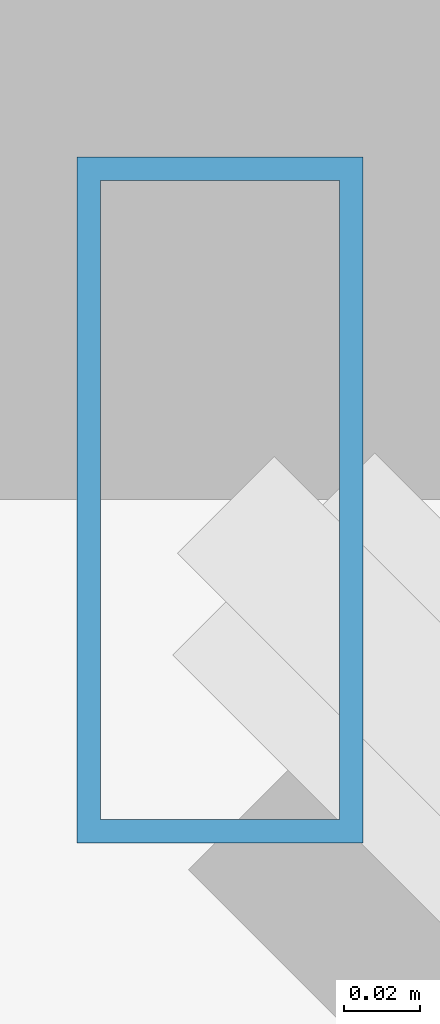
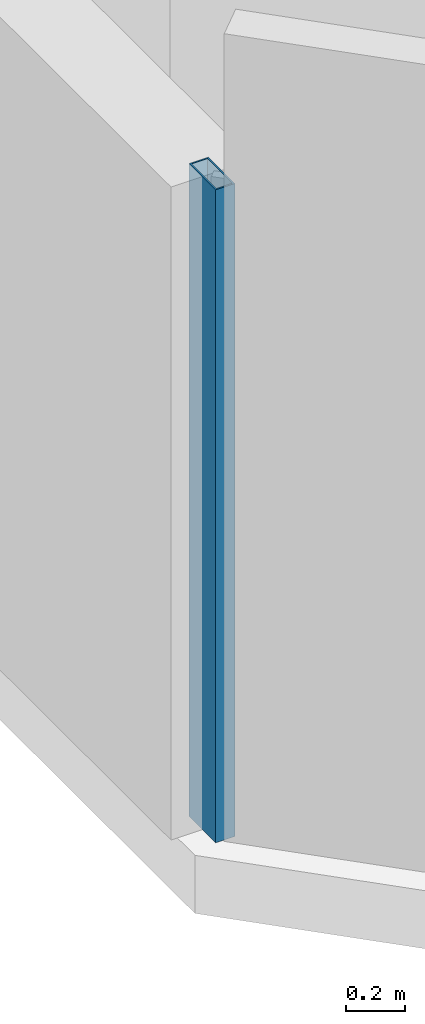
# One storey, part 8 of 35: 1 member, 1 element without a shape of its own.
"""IFC4 building model written with IfcOpenShell, lengths in metres."""

import ifcopenshell
import ifcopenshell.guid

model = None  # the IFC model being written
_history = None  # IfcOwnerHistory: only IFC2X3 demands one
_inside = {}  # id of a spatial element -> (the spatial element, [elements in it])
_under = {}  # id of a project, library or spatial element -> (it, [spatial elements below it])
_declared = {}  # id of a project -> (the project, [libraries it declares])
_typed = {}  # id of a type object -> (the type object, [elements of that type])
_made_of = {}  # id of a material, layer set ... -> (it, [elements and type objects made of it])


def new_model(schema):
    """Start an empty IFC model of exactly this schema.

    Asked for "IFC4X3", IfcOpenShell would pick the latest addendum, in which some entities
    have other attributes; the version numbers below select the first issue.
    IFC2X3 requires an IfcOwnerHistory on every rooted entity: one is made here for all.
    """
    global model, _history
    if schema == "IFC4X3":
        model = ifcopenshell.file(schema_version=(4, 3, 0, 0))
    else:
        model = ifcopenshell.file(schema=schema)
    _inside.clear()
    _under.clear()
    _declared.clear()
    _typed.clear()
    _made_of.clear()
    _history = None
    if model.schema == "IFC2X3":
        org = make("IfcOrganization", Name="unknown")
        user = make(
            "IfcPersonAndOrganization",
            ThePerson=make("IfcPerson", FamilyName="unknown"),
            TheOrganization=org,
        )
        app = make(
            "IfcApplication",
            ApplicationDeveloper=org,
            Version="unknown",
            ApplicationFullName="unknown",
            ApplicationIdentifier="unknown",
        )
        _history = make(
            "IfcOwnerHistory",
            OwningUser=user,
            OwningApplication=app,
            ChangeAction="ADDED",
            CreationDate=0,
        )
    return model


def make(cls, **values):
    """One entity of the class cls with the attributes given. An attribute that is None is left unset."""
    return model.create_entity(
        cls, **{name: value for name, value in values.items() if value is not None}
    )


def rooted(cls, **values):
    """An entity with a GlobalId (a new one), such as an element, a storey or a relation."""
    return make(cls, GlobalId=ifcopenshell.guid.new(), OwnerHistory=_history, **values)


def si_unit(unit_type, name, prefix=None):
    """IfcSIUnit, for example si_unit("LENGTHUNIT", "METRE", prefix="MILLI")."""
    return make("IfcSIUnit", UnitType=unit_type, Prefix=prefix, Name=name)


def assignment(units):
    """IfcUnitAssignment: the units of a project."""
    return None if units is None else make("IfcUnitAssignment", Units=units)


def point(xyz):
    """IfcCartesianPoint."""
    return None if xyz is None else make("IfcCartesianPoint", Coordinates=xyz)


def direction(xyz):
    """IfcDirection."""
    return None if xyz is None else make("IfcDirection", DirectionRatios=xyz)


def frame(location, z_axis=None, x_axis=None):
    """IfcAxis2Placement3D, a coordinate frame: its origin and axes. An axis left out is left unset."""
    return make(
        "IfcAxis2Placement3D",
        Location=point(location),
        Axis=direction(z_axis),
        RefDirection=direction(x_axis),
    )


def frame_2d(location, x_axis=None):
    """IfcAxis2Placement2D, a coordinate frame in the plane: its origin and x axis."""
    return make(
        "IfcAxis2Placement2D", Location=point(location), RefDirection=direction(x_axis)
    )


def origin():
    """The frame at (0, 0, 0) with its axes left unset."""
    return frame((0.0, 0.0, 0.0))


def origin_2d():
    """The frame at (0, 0) in the plane with its x axis left unset."""
    return frame_2d((0.0, 0.0))


def place(relative_to, where):
    """IfcLocalPlacement: puts the frame where relative to a parent placement (None: the world)."""
    return make(
        "IfcLocalPlacement", PlacementRelTo=relative_to, RelativePlacement=where
    )


def context(
    kind, dimensions, precision=None, world=None, true_north=None, identifier=None
):
    """IfcGeometricRepresentationContext, for example the 3D "Model" context."""
    return make(
        "IfcGeometricRepresentationContext",
        ContextIdentifier=identifier,
        ContextType=kind,
        CoordinateSpaceDimension=dimensions,
        Precision=precision,
        WorldCoordinateSystem=world,
        TrueNorth=true_north,
    )


def subcontext(parent, identifier, kind, view, scale=None):
    """IfcGeometricRepresentationSubContext, for example "Body" below "Model"."""
    return make(
        "IfcGeometricRepresentationSubContext",
        ContextIdentifier=identifier,
        ContextType=kind,
        ParentContext=parent,
        TargetScale=scale,
        TargetView=view,
    )


def project(units=None, contexts=None):
    """IfcProject with its units and contexts."""
    return rooted(
        "IfcProject",
        Name="project",
        RepresentationContexts=contexts,
        UnitsInContext=assignment(units),
    )


def spatial(cls, under=None, at=None, **own):
    """A site, building, storey or space (cls), placed at a placement, below another one or the project."""
    s = rooted(cls, ObjectPlacement=at, **own)
    if under is not None:
        _under.setdefault(under.id(), (under, []))[1].append(s)
    return s


def profile(cls, at=None, kind="AREA", **sizes):
    """A parametric profile (cls). Its sizes go by their IFC names, for example OverallWidth=200.0."""
    return make(cls, ProfileType=kind, Position=at, **sizes)


def hollow_rectangle(**sizes):
    """IfcRectangleHollowProfileDef."""
    return profile("IfcRectangleHollowProfileDef", **sizes)


def extrude(swept, where, along, depth):
    """IfcExtrudedAreaSolid: the profile swept, set in the frame where, extruded along a direction by depth."""
    return make(
        "IfcExtrudedAreaSolid",
        SweptArea=swept,
        Position=where,
        ExtrudedDirection=direction(along),
        Depth=depth,
    )


def shape(context_of_items, identifier, shape_type, items):
    """IfcShapeRepresentation: the items that make up one representation, for example the "Body"."""
    return make(
        "IfcShapeRepresentation",
        ContextOfItems=context_of_items,
        RepresentationIdentifier=identifier,
        RepresentationType=shape_type,
        Items=items,
    )


def material(Name=None, Category=None):
    """IfcMaterial."""
    return make("IfcMaterial", Name=Name, Category=Category)


def material_profile(
    of_material, cross_section, Name=None, Category=None, Priority=None
):
    """IfcMaterialProfile: a cross section and its material."""
    return make(
        "IfcMaterialProfile",
        Name=Name,
        Material=of_material,
        Profile=cross_section,
        Priority=Priority,
        Category=Category,
    )


def profile_set(profiles, Name=None, composite=None):
    """IfcMaterialProfileSet."""
    return make(
        "IfcMaterialProfileSet",
        Name=Name,
        MaterialProfiles=profiles,
        CompositeProfile=composite,
    )


def made_of(thing, what):
    """Note that an element or type object is made of a material, layer set ...; save() writes the relation."""
    if what is not None:
        _made_of.setdefault(what.id(), (what, []))[1].append(thing)
    return thing


def type_object(cls, material=None, **own):
    """A type object (cls), such as IfcWallType, which elements share."""
    return made_of(rooted(cls, **own), material)


def element(
    cls,
    number,
    at=None,
    inside=None,
    cuts=None,
    type_object=None,
    material=None,
    context=None,
    identifier="Body",
    shape_type=None,
    held_by="IfcProductDefinitionShape",
    body=None,
    shapes=None,
    **own,
):
    """One element of the class cls, such as IfcWall. Its Tag is "e" and its number.

    at: its placement. inside: the storey or other place that contains it. cuts: it is an
    opening in that element (IfcRelVoidsElement). A single representation is given by context,
    identifier, shape_type and body (its items); several are given by shapes. held_by: the class
    of the entity that holds the representations. save() writes the other relations.
    """
    e = rooted(cls, Tag="e%d" % number, ObjectPlacement=at, **own)
    if body is not None:
        shapes = [shape(context, identifier, shape_type, body)]
    if shapes is not None:
        e.Representation = make(held_by, Representations=shapes)
    if inside is not None:
        _inside.setdefault(inside.id(), (inside, []))[1].append(e)
    if cuts is not None:
        rooted(
            "IfcRelVoidsElement", RelatingBuildingElement=cuts, RelatedOpeningElement=e
        )
    if type_object is not None:
        _typed.setdefault(type_object.id(), (type_object, []))[1].append(e)
    return made_of(e, material)


def aggregate(whole, parts):
    """IfcRelAggregates: a whole, such as a stair, and the parts it consists of."""
    return rooted("IfcRelAggregates", RelatingObject=whole, RelatedObjects=parts)


def save(model, path):
    """Write the relations noted so far, then the file.

    IfcRelAggregates (storeys below a building ...), IfcRelContainedInSpatialStructure (elements
    in a storey), IfcRelDefinesByType, IfcRelAssociatesMaterial and IfcRelDeclares: one each for
    every whole, place, type object, material and project.
    """
    for whole, parts in _under.values():
        aggregate(whole, parts)
    for where, things in _inside.values():
        rooted(
            "IfcRelContainedInSpatialStructure",
            RelatedElements=things,
            RelatingStructure=where,
        )
    for kind, things in _typed.values():
        rooted("IfcRelDefinesByType", RelatedObjects=things, RelatingType=kind)
    for what, things in _made_of.values():
        rooted("IfcRelAssociatesMaterial", RelatedObjects=things, RelatingMaterial=what)
    for by, libraries in _declared.values():
        rooted("IfcRelDeclares", RelatingContext=by, RelatedDefinitions=libraries)
    model.write(path)


model = new_model("IFC4")

# Units and contexts
model_context = context("Model", 3, precision=1e-05, world=origin(), true_north=direction((0.0, 1.0)))
body_context = subcontext(model_context, "Body", "Model", "MODEL_VIEW")
ifc_project = project(units=[si_unit("LENGTHUNIT", "METRE"), si_unit("AREAUNIT", "SQUARE_METRE"), si_unit("VOLUMEUNIT", "CUBIC_METRE"), si_unit("PLANEANGLEUNIT", "RADIAN"), si_unit("MASSUNIT", "GRAM", prefix="KILO")], contexts=[model_context])

# Site, building, storey
site_placement = place(None, origin())
site = spatial("IfcSite", under=ifc_project, at=site_placement, CompositionType="ELEMENT")
building_placement = place(site_placement, origin())
building = spatial("IfcBuilding", under=site, at=building_placement, Name="Thornwick Lancets Civic Towers", CompositionType="ELEMENT")
storey_placement = place(building_placement, frame((0.0, 0.0, 269.10009765625)))
storey = spatial("IfcBuildingStorey", under=building, at=storey_placement, Name="L72", CompositionType="ELEMENT", Elevation=269.10009765625)

# Curtain wall, member
ifc_material_1 = material(Name="High-zone chamfered-corner unitised glass curtain wall", Category="glass")
curtain_wall_type = type_object("IfcCurtainWallType", Name="CW_SYS_05", PredefinedType="NOTDEFINED", material=ifc_material_1)
curtain_wall_placement = place(storey_placement, origin())
curtain_wall = element("IfcCurtainWall", 1, at=curtain_wall_placement, inside=storey, type_object=curtain_wall_type, Name="L72 Curtain Wall CW-L72-B-E7", PredefinedType="NOTDEFINED")
ifc_material_2 = material(Name="Thermally broken bronze aluminium S355", Category="steel")
ifc_material_profile = material_profile(ifc_material_2, hollow_rectangle(XDim=0.074951171875, YDim=0.179931640625, WallThickness=0.006103515625, at=origin_2d()), Name="RHS 180x75x6")
ifc_profile_set = profile_set([ifc_material_profile], Name="Thermally broken bronze aluminium S355")
member_type = type_object("IfcMemberType", Name="CW_MUL_180", PredefinedType="MULLION", material=ifc_profile_set)
member_placement = place(storey_placement, frame((70.7353515625, 11.818603515625, 0.0), z_axis=(0.0, 0.0, 1.0), x_axis=(1.0, 0.0, 0.0)))
member = element("IfcMember", 2, at=member_placement, type_object=member_type, Name="CW-L72-B-E7 Mullion 0", PredefinedType="MULLION", context=body_context, shape_type="SweptSolid", body=[
    extrude(hollow_rectangle(XDim=0.074951171875, YDim=0.179931640625, WallThickness=0.006103515625, at=origin_2d()), origin(), (0.0, 0.0, 1.0), 2.699951171875),
])
aggregate(curtain_wall, [member])

save(model, "model.ifc")
